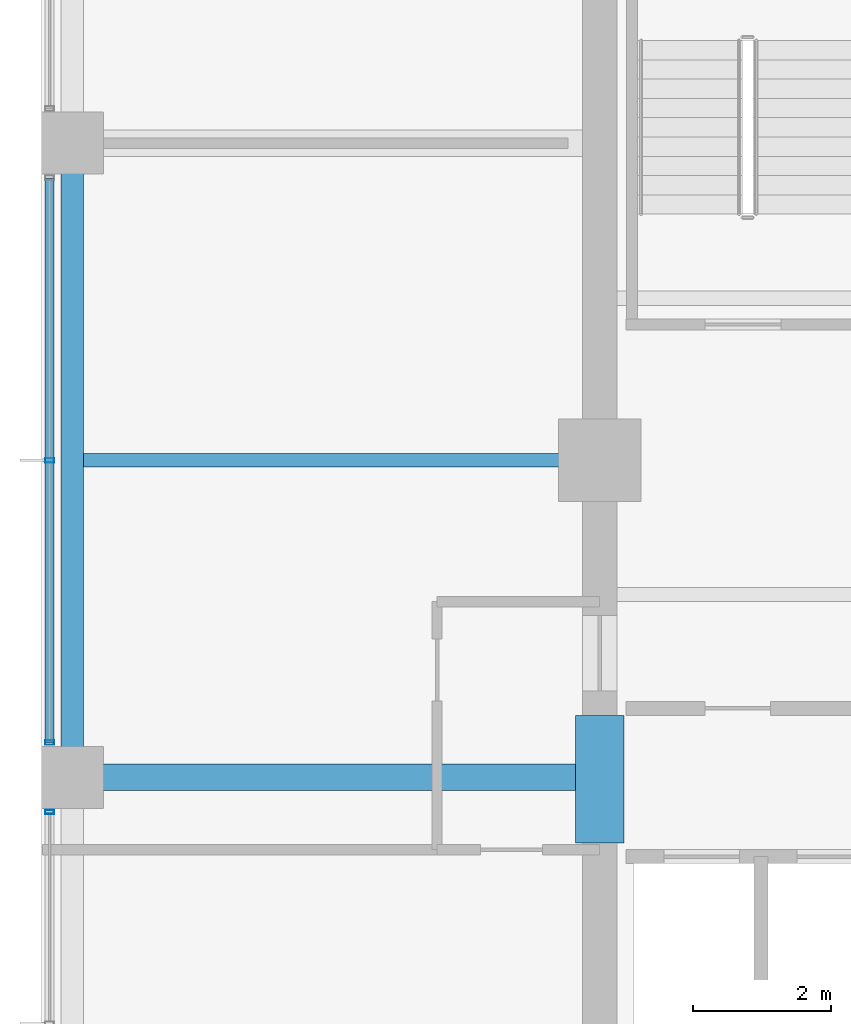
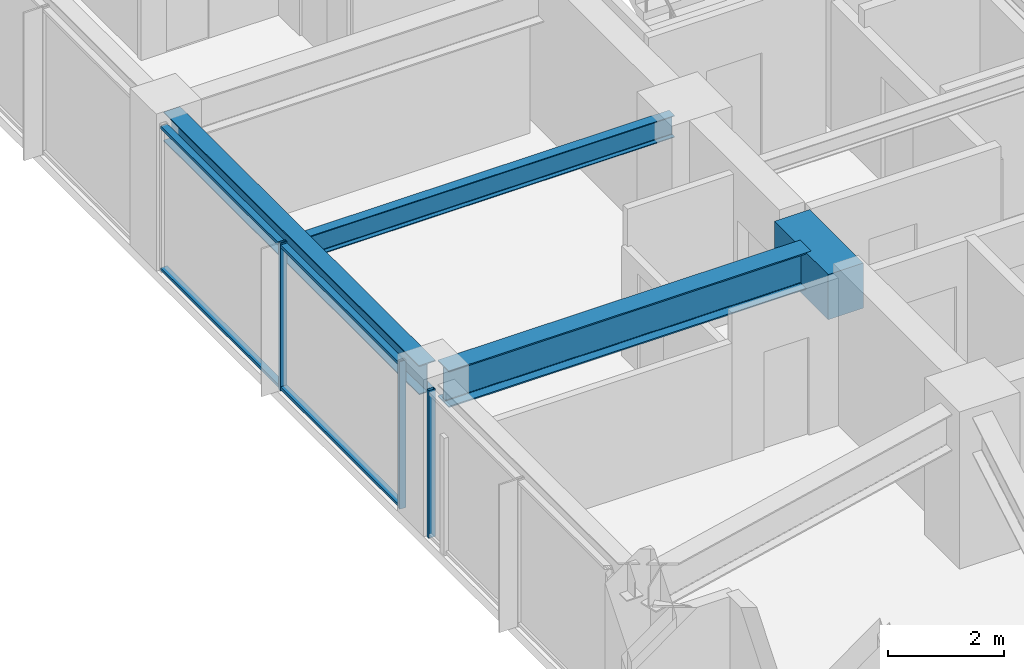
# One storey, part 9 of 31: 5 members, 4 beams, 2 elements without a shape of their own.
"""IFC4 building model written with IfcOpenShell, lengths in metres."""

from ifc_helpers import new_model, si_unit, direction, frame, origin, origin_2d, place, context, subcontext, project, spatial, rectangle, hollow_rectangle, i_section, extrude, material, material_profile, profile_set, type_object, element, aggregate, save


model = new_model("IFC4")

# Units and contexts
model_context = context("Model", 3, precision=1e-05, world=origin(), true_north=direction((0.0, 1.0)))
body_context = subcontext(model_context, "Body", "Model", "MODEL_VIEW")
ifc_project = project(units=[si_unit("LENGTHUNIT", "METRE"), si_unit("AREAUNIT", "SQUARE_METRE"), si_unit("VOLUMEUNIT", "CUBIC_METRE"), si_unit("PLANEANGLEUNIT", "RADIAN"), si_unit("MASSUNIT", "GRAM", prefix="KILO")], contexts=[model_context])

# Site, building, storey
site_placement = place(None, origin())
site = spatial("IfcSite", under=ifc_project, at=site_placement, CompositionType="ELEMENT")
building_placement = place(site_placement, origin())
building = spatial("IfcBuilding", under=site, at=building_placement, Name="Kolvaren Belvedere", CompositionType="ELEMENT")
storey_placement = place(building_placement, frame((0.0, 0.0, 134.89990234375)))
storey = spatial("IfcBuildingStorey", under=building, at=storey_placement, Name="L39", CompositionType="ELEMENT", Elevation=134.89990234375)

# Beams
ifc_material_1 = material(Name="Structural steel ASTM A992 Grade 50", Category="steel")
ifc_material_profile_1 = material_profile(ifc_material_1, i_section(OverallWidth=0.381103515625, OverallDepth=0.77294921875, WebThickness=0.0166015625, FlangeThickness=0.027099609375, FilletRadius=0.02392578125, at=origin_2d()), Name="W30X173")
ifc_profile_set_1 = profile_set([ifc_material_profile_1], Name="Structural steel ASTM A992 Grade 50")
beam_type_1 = type_object("IfcBeamType", Name="BM-GIRD-W30X173", PredefinedType="BEAM", material=ifc_profile_set_1)
beam_1_placement = place(storey_placement, frame((-10.14990234375, -4.60009765625, 2.713623046875), z_axis=(-1.0, 0.0, 0.0), x_axis=(0.0, -1.0, 0.0)))
element("IfcBeam", 1, at=beam_1_placement, inside=storey, type_object=beam_type_1, Name="L39 West Radial Girder M", PredefinedType="BEAM", context=body_context, shape_type="SweptSolid", body=[
    extrude(i_section(OverallWidth=0.381103515625, OverallDepth=0.77294921875, WebThickness=0.0166015625, FlangeThickness=0.027099609375, FilletRadius=0.02392578125, at=origin_2d()), origin(), (0.0, 0.0, 1.0), 7.197509765625),
])
ifc_material_2 = material(Name="Structural steel ASTM A992 Grade 50", Category="steel")
ifc_material_profile_2 = material_profile(ifc_material_2, i_section(OverallWidth=0.19091796875, OverallDepth=0.4599609375, WebThickness=0.010009765625, FlangeThickness=0.01611328125, FilletRadius=0.014892578125, at=origin_2d()), Name="W18X55")
ifc_profile_set_2 = profile_set([ifc_material_profile_2], Name="Structural steel ASTM A992 Grade 50")
beam_type_2 = type_object("IfcBeamType", Name="BM-JOIST-W18X55", PredefinedType="BEAM", material=ifc_profile_set_2)
beam_2_placement = place(storey_placement, frame((-10.14990234375, 0.0, 2.8701171875), z_axis=(-1.0, 0.0, 0.0), x_axis=(0.0, -1.0, 0.0)))
element("IfcBeam", 2, at=beam_2_placement, inside=storey, type_object=beam_type_2, Name="L39 West Centre Floor Beam", PredefinedType="BEAM", context=body_context, shape_type="SweptSolid", body=[
    extrude(i_section(OverallWidth=0.19091796875, OverallDepth=0.4599609375, WebThickness=0.010009765625, FlangeThickness=0.01611328125, FilletRadius=0.014892578125, at=origin_2d()), origin(), (0.0, 0.0, 1.0), 7.237548828125),
])
ifc_material_3 = material(Name="Concrete C60/75", Category="concrete")
ifc_material_profile_3 = material_profile(ifc_material_3, rectangle(XDim=0.699951171875, YDim=0.949951171875, at=origin_2d()), Name="RC 700X950")
ifc_profile_set_3 = profile_set([ifc_material_profile_3], Name="Concrete C60/75")
beam_type_3 = type_object("IfcBeamType", Name="BM-LINT-950", PredefinedType="LINTEL", material=ifc_profile_set_3)
beam_3_placement = place(storey_placement, frame((-9.89990234375, -5.550048828125, 2.625), z_axis=(0.0, 1.0, 0.0), x_axis=(-1.0, 0.0, 0.0)))
element("IfcBeam", 3, at=beam_3_placement, inside=storey, type_object=beam_type_3, Name="L39 West Core Coupling Lintel", PredefinedType="LINTEL", context=body_context, shape_type="SweptSolid", body=[
    extrude(rectangle(XDim=0.699951171875, YDim=0.949951171875, at=origin_2d()), origin(), (0.0, 0.0, 1.0), 1.85009765625),
])
ifc_material_4 = material(Name="Structural steel ASTM A992 Grade 50", Category="steel")
ifc_material_profile_4 = material_profile(ifc_material_4, i_section(OverallWidth=0.324951171875, OverallDepth=0.615966796875, WebThickness=0.013916015625, FlangeThickness=0.021484375, FilletRadius=0.02001953125, at=origin_2d()), Name="W24X117")
ifc_profile_set_4 = profile_set([ifc_material_profile_4], Name="Structural steel ASTM A992 Grade 50")
beam_type_4 = type_object("IfcBeamType", Name="BM-SPAN-W24X117", PredefinedType="SPANDREL", material=ifc_profile_set_4)
beam_4_placement = place(storey_placement, frame((-17.550048828125, 4.3974609375, 2.7919921875), z_axis=(0.0, -1.0, 0.0), x_axis=(1.0, 0.0, 0.0)))
element("IfcBeam", 4, at=beam_4_placement, inside=storey, type_object=beam_type_4, Name="L39 Perimeter Spandrel W3-W2", PredefinedType="SPANDREL", context=body_context, shape_type="SweptSolid", body=[
    extrude(i_section(OverallWidth=0.324951171875, OverallDepth=0.615966796875, WebThickness=0.013916015625, FlangeThickness=0.021484375, FilletRadius=0.02001953125, at=origin_2d()), origin(), (0.0, 0.0, 1.0), 8.794921875),
])

# Curtain wall, member
ifc_material_5 = material(Name="Anodised pale-metal aluminium AA 6063-T6", Category="aluminium")
curtain_wall_type = type_object("IfcCurtainWallType", Name="CW-Z3-WAIST", PredefinedType="NOTDEFINED", material=ifc_material_5)
curtain_wall_1_placement = place(storey_placement, origin())
curtain_wall_1 = element("IfcCurtainWall", 5, at=curtain_wall_1_placement, inside=storey, type_object=curtain_wall_type, Name="L39 Unitised Curtain Wall FCW-L39-W-B1", PredefinedType="NOTDEFINED")
ifc_material_6 = material(Name="Anodised pale-metal aluminium AA 6063-T6", Category="aluminium")
ifc_material_profile_5 = material_profile(ifc_material_6, hollow_rectangle(XDim=0.06494140625, YDim=0.1298828125, WallThickness=0.00390625, at=origin_2d()), Name="ALU-MUL-130X65")
ifc_profile_set_5 = profile_set([ifc_material_profile_5], Name="Anodised pale-metal aluminium AA 6063-T6")
member_type_1 = type_object("IfcMemberType", Name="CW-MUL-130", PredefinedType="MULLION", material=ifc_profile_set_5)
member_1_placement = place(storey_placement, frame((-17.8798828125, -5.1025390625, 0.0), z_axis=(0.0, 0.0, 1.0), x_axis=(0.0, 1.0, 0.0)))
member_1 = element("IfcMember", 6, at=member_1_placement, type_object=member_type_1, Name="FCW-L39-W-B1 Unitised Mullion 3", PredefinedType="MULLION", context=body_context, shape_type="SweptSolid", body=[
    extrude(hollow_rectangle(XDim=0.06494140625, YDim=0.1298828125, WallThickness=0.00390625, at=origin_2d()), origin(), (0.0, 0.0, 1.0), 3.10009765625),
])
aggregate(curtain_wall_1, [member_1])

# Curtain wall, members
curtain_wall_2_placement = place(storey_placement, origin())
curtain_wall_2 = element("IfcCurtainWall", 7, at=curtain_wall_2_placement, inside=storey, type_object=curtain_wall_type, Name="L39 Unitised Curtain Wall FCW-L39-W-B2", PredefinedType="NOTDEFINED")
member_2_placement = place(storey_placement, frame((-17.8798828125, -4.097412109375, 0.0), z_axis=(0.0, 0.0, 1.0), x_axis=(0.0, 1.0, 0.0)))
member_2 = element("IfcMember", 8, at=member_2_placement, type_object=member_type_1, Name="FCW-L39-W-B2 Unitised Mullion 1", PredefinedType="MULLION", context=body_context, shape_type="SweptSolid", body=[
    extrude(hollow_rectangle(XDim=0.06494140625, YDim=0.1298828125, WallThickness=0.00390625, at=origin_2d()), origin(), (0.0, 0.0, 1.0), 3.10009765625),
])
member_3_placement = place(storey_placement, frame((-17.8798828125, 0.0, 0.0), z_axis=(0.0, 0.0, 1.0), x_axis=(0.0, 1.0, 0.0)))
member_3 = element("IfcMember", 9, at=member_3_placement, type_object=member_type_1, Name="FCW-L39-W-B2 Unitised Mullion 2", PredefinedType="MULLION", context=body_context, shape_type="SweptSolid", body=[
    extrude(hollow_rectangle(XDim=0.06494140625, YDim=0.1298828125, WallThickness=0.00390625, at=origin_2d()), origin(), (0.0, 0.0, 1.0), 3.10009765625),
])
ifc_material_7 = material(Name="Anodised pale-metal aluminium AA 6063-T6", Category="aluminium")
ifc_material_profile_6 = material_profile(ifc_material_7, hollow_rectangle(XDim=0.06005859375, YDim=0.1298828125, WallThickness=0.00390625, at=origin_2d()), Name="ALU-TRN-130X60")
ifc_profile_set_6 = profile_set([ifc_material_profile_6], Name="Anodised pale-metal aluminium AA 6063-T6")
member_type_2 = type_object("IfcMemberType", Name="CW-TRN-130", PredefinedType="USERDEFINED", material=ifc_profile_set_6)
member_4_placement = place(storey_placement, frame((-17.8798828125, -4.097412109375, 0.06005859375), z_axis=(0.0, 1.0, 0.0), x_axis=(0.0, 0.0, 1.0)))
member_4 = element("IfcMember", 10, at=member_4_placement, type_object=member_type_2, Name="FCW-L39-W-B2 Sill Transom", ObjectType="TRANSOM", PredefinedType="USERDEFINED", context=body_context, shape_type="SweptSolid", body=[
    extrude(hollow_rectangle(XDim=0.06005859375, YDim=0.1298828125, WallThickness=0.00390625, at=origin_2d()), origin(), (0.0, 0.0, 1.0), 8.19482421875),
])
member_5_placement = place(storey_placement, frame((-17.8798828125, -4.097412109375, 3.0400390625), z_axis=(0.0, 1.0, 0.0), x_axis=(0.0, 0.0, 1.0)))
member_5 = element("IfcMember", 11, at=member_5_placement, type_object=member_type_2, Name="FCW-L39-W-B2 Head Transom", ObjectType="TRANSOM", PredefinedType="USERDEFINED", context=body_context, shape_type="SweptSolid", body=[
    extrude(hollow_rectangle(XDim=0.06005859375, YDim=0.1298828125, WallThickness=0.00390625, at=origin_2d()), origin(), (0.0, 0.0, 1.0), 8.19482421875),
])
aggregate(curtain_wall_2, [member_2, member_3, member_4, member_5])

save(model, "model.ifc")
